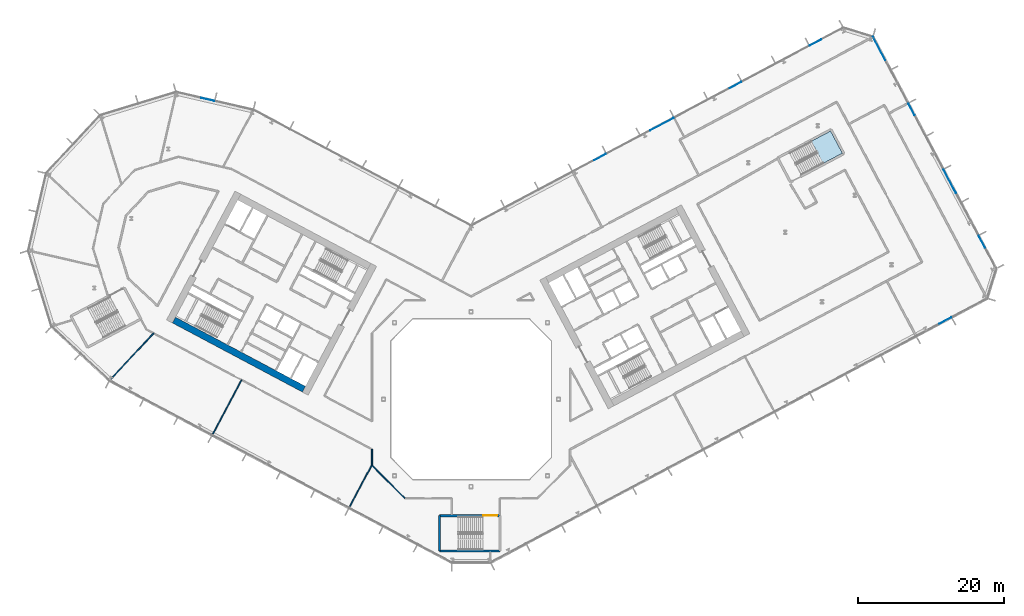
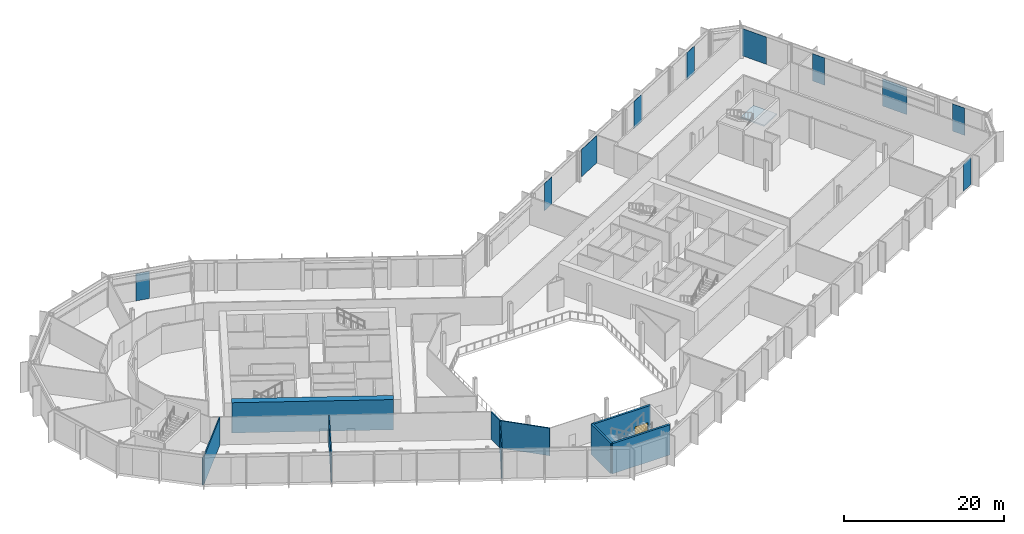
# One storey, part 13 of 30: 10 plates, 9 walls, 1 door, 1 slab, 1 opening, 5 elements without a shape of their own.
"""IFC4 building model written with IfcOpenShell, lengths in metres."""

import ifcopenshell
import ifcopenshell.guid

model = None  # the IFC model being written
_history = None  # IfcOwnerHistory: only IFC2X3 demands one
_inside = {}  # id of a spatial element -> (the spatial element, [elements in it])
_under = {}  # id of a project, library or spatial element -> (it, [spatial elements below it])
_declared = {}  # id of a project -> (the project, [libraries it declares])
_typed = {}  # id of a type object -> (the type object, [elements of that type])
_made_of = {}  # id of a material, layer set ... -> (it, [elements and type objects made of it])


def new_model(schema):
    """Start an empty IFC model of exactly this schema.

    Asked for "IFC4X3", IfcOpenShell would pick the latest addendum, in which some entities
    have other attributes; the version numbers below select the first issue.
    IFC2X3 requires an IfcOwnerHistory on every rooted entity: one is made here for all.
    """
    global model, _history
    if schema == "IFC4X3":
        model = ifcopenshell.file(schema_version=(4, 3, 0, 0))
    else:
        model = ifcopenshell.file(schema=schema)
    _inside.clear()
    _under.clear()
    _declared.clear()
    _typed.clear()
    _made_of.clear()
    _history = None
    if model.schema == "IFC2X3":
        org = make("IfcOrganization", Name="unknown")
        user = make(
            "IfcPersonAndOrganization",
            ThePerson=make("IfcPerson", FamilyName="unknown"),
            TheOrganization=org,
        )
        app = make(
            "IfcApplication",
            ApplicationDeveloper=org,
            Version="unknown",
            ApplicationFullName="unknown",
            ApplicationIdentifier="unknown",
        )
        _history = make(
            "IfcOwnerHistory",
            OwningUser=user,
            OwningApplication=app,
            ChangeAction="ADDED",
            CreationDate=0,
        )
    return model


def make(cls, **values):
    """One entity of the class cls with the attributes given. An attribute that is None is left unset."""
    return model.create_entity(
        cls, **{name: value for name, value in values.items() if value is not None}
    )


def rooted(cls, **values):
    """An entity with a GlobalId (a new one), such as an element, a storey or a relation."""
    return make(cls, GlobalId=ifcopenshell.guid.new(), OwnerHistory=_history, **values)


def si_unit(unit_type, name, prefix=None):
    """IfcSIUnit, for example si_unit("LENGTHUNIT", "METRE", prefix="MILLI")."""
    return make("IfcSIUnit", UnitType=unit_type, Prefix=prefix, Name=name)


def assignment(units):
    """IfcUnitAssignment: the units of a project."""
    return None if units is None else make("IfcUnitAssignment", Units=units)


def point(xyz):
    """IfcCartesianPoint."""
    return None if xyz is None else make("IfcCartesianPoint", Coordinates=xyz)


def direction(xyz):
    """IfcDirection."""
    return None if xyz is None else make("IfcDirection", DirectionRatios=xyz)


def frame(location, z_axis=None, x_axis=None):
    """IfcAxis2Placement3D, a coordinate frame: its origin and axes. An axis left out is left unset."""
    return make(
        "IfcAxis2Placement3D",
        Location=point(location),
        Axis=direction(z_axis),
        RefDirection=direction(x_axis),
    )


def frame_2d(location, x_axis=None):
    """IfcAxis2Placement2D, a coordinate frame in the plane: its origin and x axis."""
    return make(
        "IfcAxis2Placement2D", Location=point(location), RefDirection=direction(x_axis)
    )


def origin():
    """The frame at (0, 0, 0) with its axes left unset."""
    return frame((0.0, 0.0, 0.0))


def origin_2d():
    """The frame at (0, 0) in the plane with its x axis left unset."""
    return frame_2d((0.0, 0.0))


def place(relative_to, where):
    """IfcLocalPlacement: puts the frame where relative to a parent placement (None: the world)."""
    return make(
        "IfcLocalPlacement", PlacementRelTo=relative_to, RelativePlacement=where
    )


def context(
    kind, dimensions, precision=None, world=None, true_north=None, identifier=None
):
    """IfcGeometricRepresentationContext, for example the 3D "Model" context."""
    return make(
        "IfcGeometricRepresentationContext",
        ContextIdentifier=identifier,
        ContextType=kind,
        CoordinateSpaceDimension=dimensions,
        Precision=precision,
        WorldCoordinateSystem=world,
        TrueNorth=true_north,
    )


def subcontext(parent, identifier, kind, view, scale=None):
    """IfcGeometricRepresentationSubContext, for example "Body" below "Model"."""
    return make(
        "IfcGeometricRepresentationSubContext",
        ContextIdentifier=identifier,
        ContextType=kind,
        ParentContext=parent,
        TargetScale=scale,
        TargetView=view,
    )


def project(units=None, contexts=None):
    """IfcProject with its units and contexts."""
    return rooted(
        "IfcProject",
        Name="project",
        RepresentationContexts=contexts,
        UnitsInContext=assignment(units),
    )


def spatial(cls, under=None, at=None, **own):
    """A site, building, storey or space (cls), placed at a placement, below another one or the project."""
    s = rooted(cls, ObjectPlacement=at, **own)
    if under is not None:
        _under.setdefault(under.id(), (under, []))[1].append(s)
    return s


def polyline(points):
    """IfcPolyline through the points."""
    return make("IfcPolyline", Points=[point(p) for p in points])


def profile(cls, at=None, kind="AREA", **sizes):
    """A parametric profile (cls). Its sizes go by their IFC names, for example OverallWidth=200.0."""
    return make(cls, ProfileType=kind, Position=at, **sizes)


def rectangle(**sizes):
    """IfcRectangleProfileDef."""
    return profile("IfcRectangleProfileDef", **sizes)


def outline(outer, holes=None, kind="AREA"):
    """IfcArbitraryClosedProfileDef: a profile drawn as a closed curve; with holes, ...WithVoids."""
    if holes is None:
        return make("IfcArbitraryClosedProfileDef", ProfileType=kind, OuterCurve=outer)
    return make(
        "IfcArbitraryProfileDefWithVoids",
        ProfileType=kind,
        OuterCurve=outer,
        InnerCurves=holes,
    )


def extrude(swept, where, along, depth):
    """IfcExtrudedAreaSolid: the profile swept, set in the frame where, extruded along a direction by depth."""
    return make(
        "IfcExtrudedAreaSolid",
        SweptArea=swept,
        Position=where,
        ExtrudedDirection=direction(along),
        Depth=depth,
    )


def shape(context_of_items, identifier, shape_type, items):
    """IfcShapeRepresentation: the items that make up one representation, for example the "Body"."""
    return make(
        "IfcShapeRepresentation",
        ContextOfItems=context_of_items,
        RepresentationIdentifier=identifier,
        RepresentationType=shape_type,
        Items=items,
    )


def material(Name=None, Category=None):
    """IfcMaterial."""
    return make("IfcMaterial", Name=Name, Category=Category)


def layer(
    of_material, thickness, ventilated=None, Name=None, Category=None, Priority=None
):
    """IfcMaterialLayer: one layer of a wall or slab, of a material (None: an air gap)."""
    return make(
        "IfcMaterialLayer",
        Material=of_material,
        LayerThickness=thickness,
        IsVentilated=ventilated,
        Name=Name,
        Category=Category,
        Priority=Priority,
    )


def layer_set(layers, Name=None):
    """IfcMaterialLayerSet."""
    return make("IfcMaterialLayerSet", MaterialLayers=layers, LayerSetName=Name)


def made_of(thing, what):
    """Note that an element or type object is made of a material, layer set ...; save() writes the relation."""
    if what is not None:
        _made_of.setdefault(what.id(), (what, []))[1].append(thing)
    return thing


def type_object(cls, material=None, **own):
    """A type object (cls), such as IfcWallType, which elements share."""
    return made_of(rooted(cls, **own), material)


def element(
    cls,
    number,
    at=None,
    inside=None,
    cuts=None,
    type_object=None,
    material=None,
    context=None,
    identifier="Body",
    shape_type=None,
    held_by="IfcProductDefinitionShape",
    body=None,
    shapes=None,
    **own,
):
    """One element of the class cls, such as IfcWall. Its Tag is "e" and its number.

    at: its placement. inside: the storey or other place that contains it. cuts: it is an
    opening in that element (IfcRelVoidsElement). A single representation is given by context,
    identifier, shape_type and body (its items); several are given by shapes. held_by: the class
    of the entity that holds the representations. save() writes the other relations.
    """
    e = rooted(cls, Tag="e%d" % number, ObjectPlacement=at, **own)
    if body is not None:
        shapes = [shape(context, identifier, shape_type, body)]
    if shapes is not None:
        e.Representation = make(held_by, Representations=shapes)
    if inside is not None:
        _inside.setdefault(inside.id(), (inside, []))[1].append(e)
    if cuts is not None:
        rooted(
            "IfcRelVoidsElement", RelatingBuildingElement=cuts, RelatedOpeningElement=e
        )
    if type_object is not None:
        _typed.setdefault(type_object.id(), (type_object, []))[1].append(e)
    return made_of(e, material)


def fill(opening, filler):
    """IfcRelFillsElement: the door or window that sits in an opening."""
    return rooted(
        "IfcRelFillsElement",
        RelatingOpeningElement=opening,
        RelatedBuildingElement=filler,
    )


def aggregate(whole, parts):
    """IfcRelAggregates: a whole, such as a stair, and the parts it consists of."""
    return rooted("IfcRelAggregates", RelatingObject=whole, RelatedObjects=parts)


def save(model, path):
    """Write the relations noted so far, then the file.

    IfcRelAggregates (storeys below a building ...), IfcRelContainedInSpatialStructure (elements
    in a storey), IfcRelDefinesByType, IfcRelAssociatesMaterial and IfcRelDeclares: one each for
    every whole, place, type object, material and project.
    """
    for whole, parts in _under.values():
        aggregate(whole, parts)
    for where, things in _inside.values():
        rooted(
            "IfcRelContainedInSpatialStructure",
            RelatedElements=things,
            RelatingStructure=where,
        )
    for kind, things in _typed.values():
        rooted("IfcRelDefinesByType", RelatedObjects=things, RelatingType=kind)
    for what, things in _made_of.values():
        rooted("IfcRelAssociatesMaterial", RelatedObjects=things, RelatingMaterial=what)
    for by, libraries in _declared.values():
        rooted("IfcRelDeclares", RelatingContext=by, RelatedDefinitions=libraries)
    model.write(path)


model = new_model("IFC4")

# Units and contexts
model_context = context("Model", 3, precision=1e-05, world=origin(), true_north=direction((0.0, 1.0)))
body_context = subcontext(model_context, "Body", "Model", "MODEL_VIEW")
ifc_project = project(units=[si_unit("LENGTHUNIT", "METRE"), si_unit("AREAUNIT", "SQUARE_METRE"), si_unit("VOLUMEUNIT", "CUBIC_METRE"), si_unit("PLANEANGLEUNIT", "RADIAN"), si_unit("MASSUNIT", "GRAM", prefix="KILO")], contexts=[model_context])

# Site, building, storey
site_placement = place(None, origin())
site = spatial("IfcSite", under=ifc_project, at=site_placement, CompositionType="ELEMENT")
building_placement = place(site_placement, origin())
building = spatial("IfcBuilding", under=site, at=building_placement, Name="Cormorant Relay Tower", CompositionType="ELEMENT")
storey_placement = place(building_placement, frame((0.0, 0.0, 80.0)))
storey = spatial("IfcBuildingStorey", under=building, at=storey_placement, Name="L15", CompositionType="ELEMENT", Elevation=80.0)

# Curtain wall, plate
ifc_material_1 = material(Name="Aluminium 6063-T6 anodised bronze", Category="aluminium")
ifc_layer_1 = layer(ifc_material_1, 0.199951171875)
ifc_layer_set_1 = layer_set([ifc_layer_1], Name="CW1 unitised bronze curtain wall with vertical fins")
curtain_wall_type = type_object("IfcCurtainWallType", Name="CW1 unitised bronze curtain wall with vertical fins", PredefinedType="NOTDEFINED", material=ifc_layer_set_1)
curtain_wall_1_placement = place(storey_placement, origin())
curtain_wall_1 = element("IfcCurtainWall", 1, at=curtain_wall_1_placement, inside=storey, type_object=curtain_wall_type, Name="CW1 curtain wall 2", PredefinedType="NOTDEFINED")
ifc_material_2 = material(Name="Tinted laminated glass", Category="glass")
ifc_layer_2 = layer(ifc_material_2, 0.0400390625)
ifc_layer_set_2 = layer_set([ifc_layer_2], Name="CW1 tinted vision panel 1800 module")
plate_type_1 = type_object("IfcPlateType", Name="CW1 tinted vision panel 1800 module", PredefinedType="CURTAIN_PANEL", material=ifc_layer_set_2)
plate_1_placement = place(storey_placement, frame((65.064208984375, 10.78857421875, 0.0), z_axis=(0.0, 0.0, 1.0), x_axis=(0.882947592859, 0.469471562786, 0.0)))
plate_1 = element("IfcPlate", 2, at=plate_1_placement, type_object=plate_type_1, Name="CW1 panel V12", PredefinedType="CURTAIN_PANEL", context=body_context, shape_type="SweptSolid", body=[
    extrude(rectangle(XDim=1.800048828125, YDim=0.0400390625, at=origin_2d()), origin(), (0.0, 0.0, 1.0), 4.14990234375),
])
aggregate(curtain_wall_1, [plate_1])

# Curtain wall, plates
curtain_wall_2_placement = place(storey_placement, origin())
curtain_wall_2 = element("IfcCurtainWall", 3, at=curtain_wall_2_placement, inside=storey, type_object=curtain_wall_type, Name="CW1 curtain wall 4", PredefinedType="NOTDEFINED")
plate_2_placement = place(storey_placement, frame((70.083740234375, 21.598388671875, 0.0), z_axis=(0.0, 0.0, 1.0), x_axis=(-0.469471562786, 0.882947592859, 0.0)))
plate_2 = element("IfcPlate", 4, at=plate_2_placement, type_object=plate_type_1, Name="CW1 panel V01", PredefinedType="CURTAIN_PANEL", context=body_context, shape_type="SweptSolid", body=[
    extrude(rectangle(XDim=1.800048828125, YDim=0.0400390625, at=origin_2d()), origin(), (0.0, 0.0, 1.0), 4.14990234375),
])
plate_3_placement = place(storey_placement, frame((60.426025390625, 39.76171875, 0.0), z_axis=(0.0, 0.0, 1.0), x_axis=(-0.469471562786, 0.882947592859, 0.0)))
plate_3 = element("IfcPlate", 5, at=plate_3_placement, type_object=plate_type_1, Name="CW1 panel V05", PredefinedType="CURTAIN_PANEL", context=body_context, shape_type="SweptSolid", body=[
    extrude(rectangle(XDim=1.800048828125, YDim=0.0400390625, at=origin_2d()), origin(), (0.0, 0.0, 1.0), 4.14990234375),
])

curtain_wall_3_placement = place(storey_placement, origin())
curtain_wall_3 = element("IfcCurtainWall", 6, at=curtain_wall_3_placement, inside=storey, type_object=curtain_wall_type, Name="CW1 curtain wall 6", PredefinedType="NOTDEFINED")
plate_4_placement = place(storey_placement, frame((47.273681640625, 48.9423828125, 0.0), z_axis=(0.0, 0.0, 1.0), x_axis=(-0.882947592859, -0.469471562786, 0.0)))
plate_4 = element("IfcPlate", 7, at=plate_4_placement, type_object=plate_type_1, Name="CW1 panel V01", PredefinedType="CURTAIN_PANEL", context=body_context, shape_type="SweptSolid", body=[
    extrude(rectangle(XDim=1.800048828125, YDim=0.0400390625, at=origin_2d()), origin(), (0.0, 0.0, 1.0), 4.14990234375),
])
plate_5_placement = place(storey_placement, frame((36.267578125, 43.09033203125, 0.0), z_axis=(0.0, 0.0, 1.0), x_axis=(-0.882947592859, -0.469471562786, 0.0)))
plate_5 = element("IfcPlate", 8, at=plate_5_placement, type_object=plate_type_1, Name="CW1 panel V03", PredefinedType="CURTAIN_PANEL", context=body_context, shape_type="SweptSolid", body=[
    extrude(rectangle(XDim=1.800048828125, YDim=0.0400390625, at=origin_2d()), origin(), (0.0, 0.0, 1.0), 4.14990234375),
])
plate_6_placement = place(storey_placement, frame((17.698486328125, 33.21728515625, 0.0), z_axis=(0.0, 0.0, 1.0), x_axis=(-0.882947592859, -0.469471562786, 0.0)))
plate_6 = element("IfcPlate", 9, at=plate_6_placement, type_object=plate_type_1, Name="CW1 panel V07", PredefinedType="CURTAIN_PANEL", context=body_context, shape_type="SweptSolid", body=[
    extrude(rectangle(XDim=1.800048828125, YDim=0.0400390625, at=origin_2d()), origin(), (0.0, 0.0, 1.0), 4.14990234375),
])

# Curtain wall, plate
curtain_wall_4_placement = place(storey_placement, origin())
curtain_wall_4 = element("IfcCurtainWall", 10, at=curtain_wall_4_placement, inside=storey, type_object=curtain_wall_type, Name="CW1 curtain wall 8", PredefinedType="NOTDEFINED")
plate_7_placement = place(storey_placement, frame((-36.114990234375, 41.129638671875, 0.0), z_axis=(0.0, 0.0, 1.0), x_axis=(-0.974370064785, 0.224951054344, 0.0)))
plate_7 = element("IfcPlate", 11, at=plate_7_placement, type_object=plate_type_1, Name="CW1 panel V01", PredefinedType="CURTAIN_PANEL", context=body_context, shape_type="SweptSolid", body=[
    extrude(rectangle(XDim=1.800048828125, YDim=0.0400390625, at=origin_2d()), origin(), (0.0, 0.0, 1.0), 4.14990234375),
])
aggregate(curtain_wall_4, [plate_7])

# Plate
ifc_material_3 = material(Name="Tinted laminated glass", Category="glass")
ifc_layer_3 = layer(ifc_material_3, 0.0400390625)
ifc_layer_set_3 = layer_set([ifc_layer_3], Name="CW1 tinted vision panel 3600 module")
plate_type_2 = type_object("IfcPlateType", Name="CW1 tinted vision panel 3600 module", PredefinedType="CURTAIN_PANEL", material=ifc_layer_set_3)
plate_8_placement = place(storey_placement, frame((65.677490234375, 29.885498046875, 0.0), z_axis=(0.0, 0.0, 1.0), x_axis=(-0.469471562786, 0.882947592859, 0.0)))
plate_8 = element("IfcPlate", 12, at=plate_8_placement, type_object=plate_type_2, Name="CW1 panel V03", PredefinedType="CURTAIN_PANEL", context=body_context, shape_type="SweptSolid", body=[
    extrude(rectangle(XDim=3.60009765625, YDim=0.0400390625, at=origin_2d()), origin(), (0.0, 0.0, 1.0), 4.14990234375),
])

plate_9_placement = place(storey_placement, frame((55.984375, 48.114990234375, 0.0), z_axis=(0.0, 0.0, 1.0), x_axis=(-0.469471562786, 0.882947592859, 0.0)))
plate_9 = element("IfcPlate", 13, at=plate_9_placement, type_object=plate_type_2, Name="CW1 panel V07", PredefinedType="CURTAIN_PANEL", context=body_context, shape_type="SweptSolid", body=[
    extrude(rectangle(XDim=3.60009765625, YDim=0.0400390625, at=origin_2d()), origin(), (0.0, 0.0, 1.0), 4.14990234375),
])

aggregate(curtain_wall_2, [plate_2, plate_8, plate_3, plate_9])

plate_10_placement = place(storey_placement, frame((26.1884765625, 37.731201171875, 0.0), z_axis=(0.0, 0.0, 1.0), x_axis=(-0.882947592859, -0.469471562786, 0.0)))
plate_10 = element("IfcPlate", 14, at=plate_10_placement, type_object=plate_type_2, Name="CW1 panel V05", PredefinedType="CURTAIN_PANEL", context=body_context, shape_type="SweptSolid", body=[
    extrude(rectangle(XDim=3.60009765625, YDim=0.0400390625, at=origin_2d()), origin(), (0.0, 0.0, 1.0), 4.14990234375),
])

aggregate(curtain_wall_3, [plate_4, plate_5, plate_10, plate_6])

# Stair, slab
ifc_material_4 = material(Name="Concrete 40 MPa", Category="concrete")
stair_type = type_object("IfcStairType", Name="Exit stair 1500", PredefinedType="HALF_TURN_STAIR", material=ifc_material_4)
stair_placement = place(storey_placement, origin())
stair = element("IfcStair", 15, at=stair_placement, inside=storey, type_object=stair_type, Name="L15 Stair", PredefinedType="HALF_TURN_STAIR")
ifc_material_5 = material(Name="Concrete 40 MPa", Category="concrete")
ifc_layer_4 = layer(ifc_material_5, 0.199951171875)
ifc_layer_set_4 = layer_set([ifc_layer_4], Name="Exit stair landing 200")
slab_type = type_object("IfcSlabType", Name="Exit stair landing 200", PredefinedType="LANDING", material=ifc_layer_set_4)
slab_placement = place(storey_placement, frame((0.0, 0.0, 2.10009765625)))
slab = element("IfcSlab", 16, at=slab_placement, type_object=slab_type, Name="RB1 landing 1", PredefinedType="LANDING", context=body_context, shape_type="SweptSolid", body=[
    extrude(outline(polyline([(48.301513671875, 32.35107421875), (50.941650390625, 33.7548828125), (49.322021484375, 36.801025390625), (46.681884765625, 35.397216796875), (48.301513671875, 32.35107421875)])), origin(), (0.0, 0.0, 1.0), 0.199951171875),
])
aggregate(stair, [slab])

# Walls
ifc_material_6 = material(Name="Concrete 70 MPa", Category="concrete")
ifc_layer_5 = layer(ifc_material_6, 0.89990234375)
ifc_layer_set_5 = layer_set([ifc_layer_5], Name="Core wall 900")
wall_type_1 = type_object("IfcWallType", Name="Core wall 900", PredefinedType="SHEAR", material=ifc_layer_set_5)
wall_1_placement = place(storey_placement, frame((-22.93701171875, 1.3798828125, 0.0), z_axis=(0.0, 0.0, 1.0), x_axis=(-0.88295276571, 0.46946183394, 0.0)))
element("IfcWall", 17, at=wall_1_placement, inside=storey, type_object=wall_type_1, Name="L15 core A wall", PredefinedType="SHEAR", context=body_context, shape_type="SweptSolid", body=[
    extrude(rectangle(XDim=20.199951171875, YDim=0.89990234375, at=frame_2d((10.10009765625, 0.0))), origin(), (0.0, 0.0, 1.0), 4.60009765625),
])
ifc_material_7 = material(Name="Gypsum board partition")
ifc_layer_6 = layer(ifc_material_7, 0.14990234375)
ifc_layer_set_6 = layer_set([ifc_layer_6], Name="Gypsum board partition 150")
wall_type_2 = type_object("IfcWallType", Name="Gypsum board partition 150", PredefinedType="PARTITIONING", material=ifc_layer_set_6)
wall_2_placement = place(storey_placement, frame((-49.73291015625, 2.43310546875, 0.0), z_axis=(0.0, 0.0, 1.0), x_axis=(0.682002261255, 0.731350063679, 0.0)))
element("IfcWall", 18, at=wall_2_placement, inside=storey, type_object=wall_type_2, Name="wall/L15/part/10", PredefinedType="PARTITIONING", context=body_context, shape_type="SweptSolid", body=[
    extrude(rectangle(XDim=9.05859375, YDim=0.14990234375, at=frame_2d((4.529296875, 0.0))), origin(), (0.0, 0.0, 1.0), 4.199951171875),
])
wall_3_placement = place(storey_placement, frame((-31.4951171875, 2.64599609375, 0.0), z_axis=(0.0, 0.0, 1.0), x_axis=(-0.469461194384, -0.882953105758, 0.0)))
element("IfcWall", 19, at=wall_3_placement, inside=storey, type_object=wall_type_2, Name="wall/L15/part/11", PredefinedType="PARTITIONING", context=body_context, shape_type="SweptSolid", body=[
    extrude(rectangle(XDim=8.750244140625, YDim=0.14990234375, at=frame_2d((4.375, 0.0))), origin(), (0.0, 0.0, 1.0), 4.199951171875),
])
wall_4_placement = place(storey_placement, frame((-9.076904296875, -13.60009765625, 0.0), z_axis=(0.0, 0.0, 1.0), x_axis=(-0.707106781187, 0.707106781187, 0.0)))
element("IfcWall", 20, at=wall_4_placement, inside=storey, type_object=wall_type_2, Name="wall/L15/part/23", PredefinedType="PARTITIONING", context=body_context, shape_type="SweptSolid", body=[
    extrude(rectangle(XDim=6.396728515625, YDim=0.14990234375, at=frame_2d((3.1982421875, 0.0))), origin(), (0.0, 0.0, 1.0), 4.199951171875),
])
wall_5_placement = place(storey_placement, frame((-13.60009765625, -9.076904296875, 0.0), z_axis=(0.0, 0.0, 1.0), x_axis=(0.0, 1.0, 0.0)))
element("IfcWall", 21, at=wall_5_placement, inside=storey, type_object=wall_type_2, Name="wall/L15/part/24", PredefinedType="PARTITIONING", context=body_context, shape_type="SweptSolid", body=[
    extrude(rectangle(XDim=2.2080078125, YDim=0.14990234375, at=frame_2d((1.10400390625, 0.0))), origin(), (0.0, 0.0, 1.0), 4.199951171875),
])
wall_6_placement = place(storey_placement, frame((-13.60009765625, -8.998046875, 0.0), z_axis=(0.0, 0.0, 1.0), x_axis=(-0.469531053644, -0.882915958438, 0.0)))
element("IfcWall", 22, at=wall_6_placement, inside=storey, type_object=wall_type_2, Name="wall/L15/part/33", PredefinedType="PARTITIONING", context=body_context, shape_type="SweptSolid", body=[
    extrude(rectangle(XDim=6.870361328125, YDim=0.14990234375, at=frame_2d((3.43505859375, 0.0))), origin(), (0.0, 0.0, 1.0), 4.199951171875),
])
ifc_material_8 = material(Name="Concrete 50 MPa", Category="concrete")
ifc_layer_7 = layer(ifc_material_8, 0.300048828125)
ifc_layer_set_7 = layer_set([ifc_layer_7], Name="Remote stair wall 300")
wall_type_3 = type_object("IfcWallType", Name="Remote stair wall 300", PredefinedType="SHEAR", material=ifc_layer_set_7)
wall_7_placement = place(storey_placement, frame((3.949951171875, -20.824951171875, 0.0), z_axis=(0.0, 0.0, 1.0), x_axis=(-1.0, 0.0, 0.0)))
element("IfcWall", 23, at=wall_7_placement, inside=storey, type_object=wall_type_3, Name="L15 exit stair RK1 wall", PredefinedType="SHEAR", context=body_context, shape_type="SweptSolid", body=[
    extrude(rectangle(XDim=8.300048828125, YDim=0.300048828125, at=frame_2d((4.14990234375, 0.0))), origin(), (0.0, 0.0, 1.0), 4.60009765625),
])
wall_8_placement = place(storey_placement, frame((-4.35009765625, -20.824951171875, 0.0), z_axis=(0.0, 0.0, 1.0), x_axis=(0.0, 1.0, 0.0)))
element("IfcWall", 24, at=wall_8_placement, inside=storey, type_object=wall_type_3, Name="L15 exit stair RK1 wall", PredefinedType="SHEAR", context=body_context, shape_type="SweptSolid", body=[
    extrude(rectangle(XDim=4.849853515625, YDim=0.300048828125, at=frame_2d((2.4248046875, 0.0))), origin(), (0.0, 0.0, 1.0), 4.60009765625),
])

# Wall, opening, door
wall_9_placement = place(storey_placement, frame((-4.35009765625, -15.97509765625, 0.0), z_axis=(0.0, 0.0, 1.0), x_axis=(1.0, 0.0, 0.0)))
wall_9 = element("IfcWall", 25, at=wall_9_placement, inside=storey, type_object=wall_type_3, Name="L15 exit stair RK1 wall", PredefinedType="SHEAR", context=body_context, shape_type="SweptSolid", body=[
    extrude(rectangle(XDim=8.300048828125, YDim=0.300048828125, at=frame_2d((4.14990234375, 0.0))), origin(), (0.0, 0.0, 1.0), 4.60009765625),
])
opening_placement = place(wall_9_placement, frame((6.050048828125, 0.0, 0.0)))
opening = element("IfcOpeningElement", 26, at=opening_placement, cuts=wall_9, Name="Opening CDE-008", PredefinedType="OPENING", context=body_context, shape_type="SweptSolid", body=[
    extrude(rectangle(XDim=1.89990234375, YDim=2.10009765625, at=frame_2d((0.949951171875, 1.050048828125))), frame((0.0, 0.159912109375, 0.0), z_axis=(0.0, -1.0, 0.0), x_axis=(1.0, 0.0, 0.0)), (0.0, 0.0, 1.0), 0.320068359375),
])
ifc_material_9 = material(Name="Steel fire door", Category="steel")
door_type = type_object("IfcDoorType", Name="Remote stair door 1900x2100", OperationType="DOUBLE_DOOR_SINGLE_SWING", PredefinedType="DOOR", material=ifc_material_9)
door_placement = place(opening_placement, frame((1.89990234375, 0.0, 0.0), z_axis=(0.0, 0.0, 1.0), x_axis=(-1.0, 0.0, 0.0)))
door = element("IfcDoor", 27, at=door_placement, inside=storey, type_object=door_type, Name="Exit stair RK1 door", OperationType="DOUBLE_DOOR_SINGLE_SWING", OverallHeight=2.10009765625, OverallWidth=1.89990234375, PredefinedType="DOOR", context=body_context, shape_type="SweptSolid", body=[
    extrude(rectangle(XDim=1.89990234375, YDim=2.10009765625, at=frame_2d((0.949951171875, 1.050048828125))), frame((0.0, 0.02490234375, 0.0), z_axis=(0.0, -1.0, 0.0), x_axis=(1.0, 0.0, 0.0)), (0.0, 0.0, 1.0), 0.050048828125),
])
fill(opening, door)

save(model, "model.ifc")
